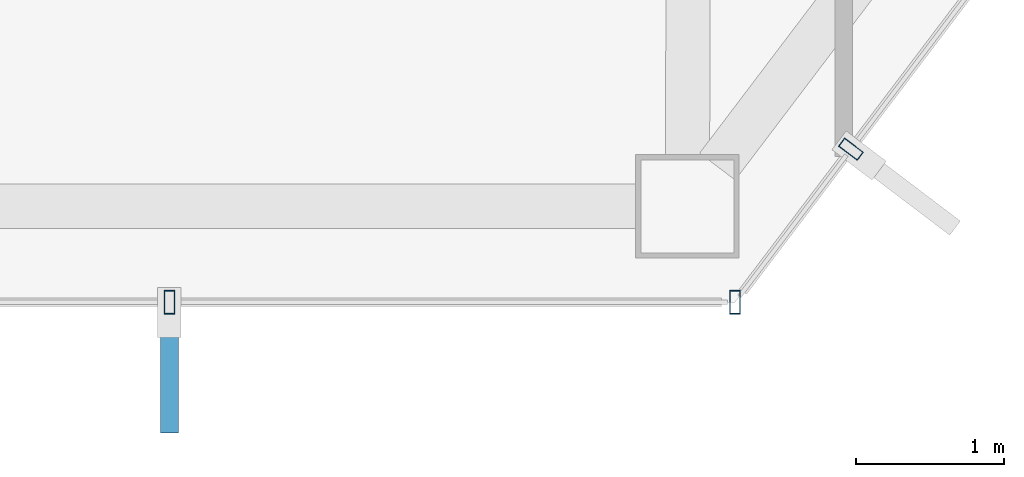
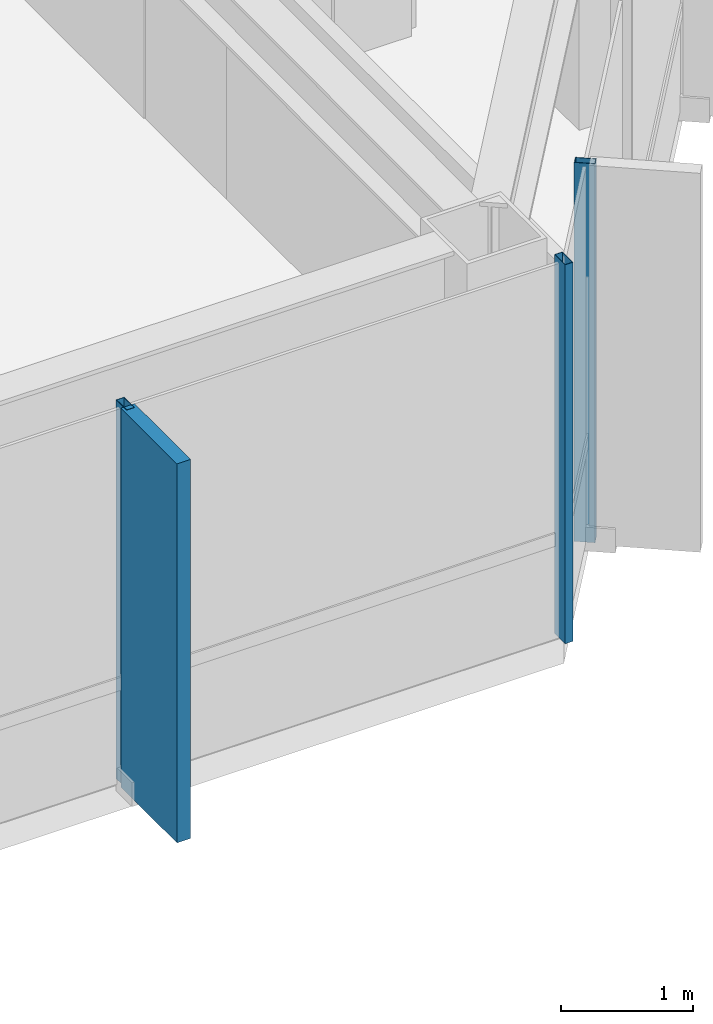
# One storey, part 8 of 28: 4 members, 2 elements without a shape of their own.
"""IFC4 building model written with IfcOpenShell, lengths in metres."""

from ifc_helpers import new_model, si_unit, direction, frame, origin, origin_2d, place, context, subcontext, project, spatial, rectangle, hollow_rectangle, extrude, material, layer, layer_set, material_profile, profile_set, type_object, element, aggregate, save


model = new_model("IFC4")

# Units and contexts
model_context = context("Model", 3, precision=1e-05, world=origin(), true_north=direction((0.0, 1.0)))
body_context = subcontext(model_context, "Body", "Model", "MODEL_VIEW")
ifc_project = project(units=[si_unit("LENGTHUNIT", "METRE"), si_unit("AREAUNIT", "SQUARE_METRE"), si_unit("VOLUMEUNIT", "CUBIC_METRE"), si_unit("PLANEANGLEUNIT", "RADIAN"), si_unit("MASSUNIT", "GRAM", prefix="KILO")], contexts=[model_context])

# Site, building, storey
site_placement = place(None, origin())
site = spatial("IfcSite", under=ifc_project, at=site_placement, CompositionType="ELEMENT")
building_placement = place(site_placement, origin())
building = spatial("IfcBuilding", under=site, at=building_placement, Name="Zarrinselat Tower", CompositionType="ELEMENT")
storey_placement = place(building_placement, frame((0.0, 0.0, 164.56005859375)))
storey = spatial("IfcBuildingStorey", under=building, at=storey_placement, Name="L40", CompositionType="ELEMENT", Elevation=164.56005859375)

# Curtain wall, members
ifc_material_1 = material(Name="Extruded Aluminium Alloy EN AW-6063 T6", Category="aluminium")
ifc_layer = layer(ifc_material_1, 0.175048828125)
ifc_layer_set = layer_set([ifc_layer], Name="Extruded Aluminium Alloy EN AW-6063 T6")
curtain_wall_type = type_object("IfcCurtainWallType", Name="CWS-HTL", PredefinedType="NOTDEFINED", material=ifc_layer_set)
curtain_wall_1_placement = place(storey_placement, origin())
curtain_wall_1 = element("IfcCurtainWall", 1, at=curtain_wall_1_placement, inside=storey, type_object=curtain_wall_type, Name="L40 Unitised Curtain Wall CW-L40-E04", PredefinedType="NOTDEFINED")
ifc_material_2 = material(Name="Extruded Aluminium Alloy EN AW-6063 T6", Category="aluminium")
ifc_material_profile_1 = material_profile(ifc_material_2, hollow_rectangle(XDim=0.070068359375, YDim=0.159912109375, WallThickness=0.00390625, at=origin_2d()), Name="RHS 160x70x4")
ifc_profile_set_1 = profile_set([ifc_material_profile_1], Name="Extruded Aluminium Alloy EN AW-6063 T6")
member_type_1 = type_object("IfcMemberType", Name="MEM-CW-MUL2", PredefinedType="MULLION", material=ifc_profile_set_1)
member_1_placement = place(storey_placement, frame((42.231201171875, 17.6533203125, 0.0), z_axis=(0.0, 0.0, 1.0), x_axis=(1.0, 0.0, 0.0)))
member_1 = element("IfcMember", 2, at=member_1_placement, type_object=member_type_1, Name="CW-L40-E04 Mullion 3", PredefinedType="MULLION", context=body_context, shape_type="SweptSolid", body=[
    extrude(hollow_rectangle(XDim=0.070068359375, YDim=0.159912109375, WallThickness=0.00390625, at=origin_2d()), origin(), (0.0, 0.0, 1.0), 3.5),
])
member_2_placement = place(storey_placement, frame((46.0625, 17.6533203125, 0.0), z_axis=(0.0, 0.0, 1.0), x_axis=(1.0, 0.0, 0.0)))
member_2 = element("IfcMember", 3, at=member_2_placement, type_object=member_type_1, Name="CW-L40-E04 Mullion 4", PredefinedType="MULLION", context=body_context, shape_type="SweptSolid", body=[
    extrude(hollow_rectangle(XDim=0.070068359375, YDim=0.159912109375, WallThickness=0.00390625, at=origin_2d()), origin(), (0.0, 0.0, 1.0), 3.5),
])

# Curtain wall, member
curtain_wall_2_placement = place(storey_placement, origin())
curtain_wall_2 = element("IfcCurtainWall", 4, at=curtain_wall_2_placement, inside=storey, type_object=curtain_wall_type, Name="L40 Unitised Curtain Wall CW-L40-E05", PredefinedType="NOTDEFINED")
member_3_placement = place(storey_placement, frame((46.847900390625, 18.690185546875, 0.0), z_axis=(0.0, 0.0, 1.0), x_axis=(0.603858853713, 0.797091265033, 0.0)))
member_3 = element("IfcMember", 5, at=member_3_placement, type_object=member_type_1, Name="CW-L40-E05 Mullion 1", PredefinedType="MULLION", context=body_context, shape_type="SweptSolid", body=[
    extrude(hollow_rectangle(XDim=0.070068359375, YDim=0.159912109375, WallThickness=0.00390625, at=origin_2d()), origin(), (0.0, 0.0, 1.0), 3.5),
])
aggregate(curtain_wall_2, [member_3])

# Member
ifc_material_3 = material(Name="Honed Cream Travertine Stone", Category="masonry")
ifc_material_profile_2 = material_profile(ifc_material_3, rectangle(XDim=0.1201171875, YDim=0.85009765625, at=origin_2d()), Name="FIN 850x120")
ifc_profile_set_2 = profile_set([ifc_material_profile_2], Name="Honed Cream Travertine Stone")
member_type_2 = type_object("IfcMemberType", Name="MEM-STONE-FIN", PredefinedType="USERDEFINED", material=ifc_profile_set_2)
member_4_placement = place(storey_placement, frame((42.231201171875, 17.193359375, 0.0), z_axis=(0.0, 0.0, 1.0), x_axis=(-1.0, 0.0, 0.0)))
member_4 = element("IfcMember", 6, at=member_4_placement, type_object=member_type_2, Name="L40 Stone Shading Fin CW-L40-E04-03", ObjectType="FIN", PredefinedType="USERDEFINED", context=body_context, shape_type="SweptSolid", body=[
    extrude(rectangle(XDim=0.1201171875, YDim=0.85009765625, at=origin_2d()), origin(), (0.0, 0.0, 1.0), 3.5),
])

aggregate(curtain_wall_1, [member_1, member_4, member_2])

save(model, "model.ifc")
